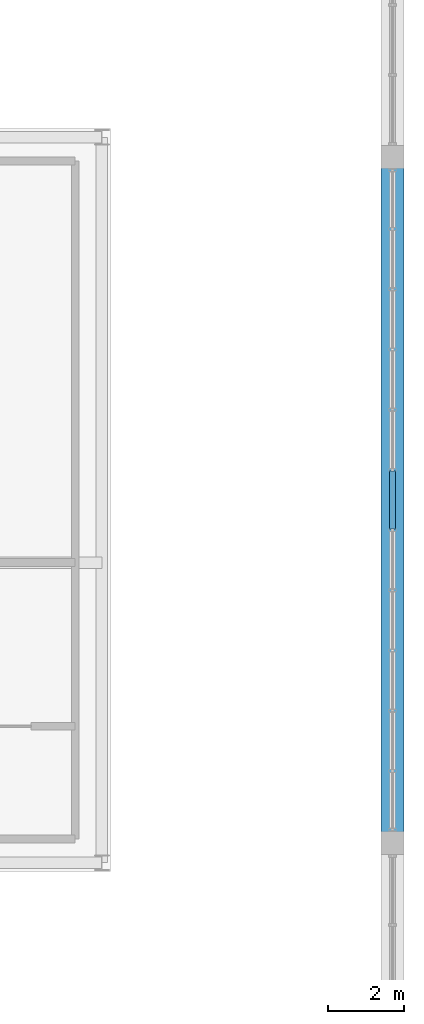
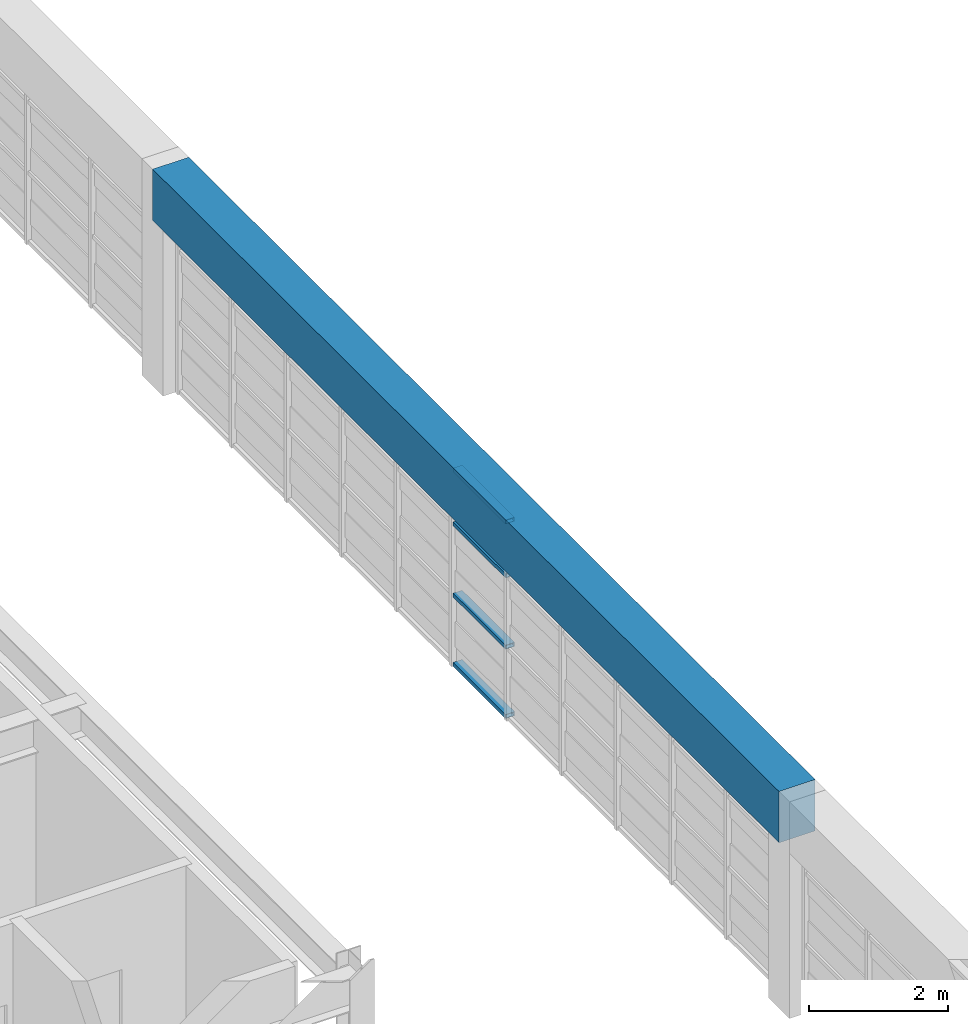
# One storey, part 15 of 27: 4 members, 1 beam, 1 element without a shape of its own.
"""IFC4 building model written with IfcOpenShell, lengths in metres."""

from ifc_helpers import new_model, si_unit, direction, frame, origin, origin_2d, place, context, subcontext, project, spatial, rectangle, hollow_rectangle, extrude, source, transform, mapped, material, layer, layer_set, material_profile, profile_set, type_object, element, aggregate, save


model = new_model("IFC4")

# Units and contexts
model_context = context("Model", 3, precision=1e-05, world=origin(), true_north=direction((0.0, 1.0)))
body_context = subcontext(model_context, "Body", "Model", "MODEL_VIEW")
ifc_project = project(units=[si_unit("LENGTHUNIT", "METRE"), si_unit("AREAUNIT", "SQUARE_METRE"), si_unit("VOLUMEUNIT", "CUBIC_METRE"), si_unit("PLANEANGLEUNIT", "RADIAN"), si_unit("MASSUNIT", "GRAM", prefix="KILO")], contexts=[model_context])

# Site, building, storey
site_placement = place(None, origin())
site = spatial("IfcSite", under=ifc_project, at=site_placement, CompositionType="ELEMENT")
building_placement = place(site_placement, origin())
building = spatial("IfcBuilding", under=site, at=building_placement, Name="Saelheon Loggia Tower", CompositionType="ELEMENT")
storey_placement = place(building_placement, frame((0.0, 0.0, 256.0)))
storey = spatial("IfcBuildingStorey", under=building, at=storey_placement, Name="CR2", CompositionType="ELEMENT", Elevation=256.0)

# Beam
ifc_material_1 = material(Name="Precast Concrete C45/55", Category="concrete")
ifc_material_profile_1 = material_profile(ifc_material_1, rectangle(XDim=0.60009765625, YDim=0.89990234375, at=origin_2d()), Name="RC-600x900")
ifc_profile_set_1 = profile_set([ifc_material_profile_1], Name="Precast Concrete C45/55")
beam_type = type_object("IfcBeamType", Name="CrownFrame_Ring_RC600x900", PredefinedType="BEAM", material=ifc_profile_set_1)
shared_shape_1 = source(origin(), body_context, "Body", "SweptSolid", [
    extrude(rectangle(XDim=0.60009765625, YDim=0.89990234375, at=origin_2d()), origin(), (0.0, 0.0, 1.0), 18.0),
])
beam_placement = place(storey_placement, frame((52.64990234375, 18.0, 3.35009765625), z_axis=(0.0, 1.0, 0.0), x_axis=(-1.0, 0.0, 0.0)))
element("IfcBeam", 1, at=beam_placement, inside=storey, type_object=beam_type, Name="CR2 CROWN FRAME Ring Beam 06", PredefinedType="BEAM", context=body_context, shape_type="MappedRepresentation", body=[
    mapped(shared_shape_1, transform((0.0, 0.0, 0.0), scale=1.0)),
])

# Curtain wall, members
ifc_material_2 = material(Name="Bronze-Anodised Aluminium and Fritted Ceramic Screen", Category="aluminium")
ifc_layer = layer(ifc_material_2, 0.219970703125)
ifc_layer_set = layer_set([ifc_layer], Name="Bronze-Anodised Aluminium and Fritted Ceramic Screen")
curtain_wall_type = type_object("IfcCurtainWallType", Name="CW_CrownScreen", PredefinedType="NOTDEFINED", material=ifc_layer_set)
curtain_wall_placement = place(storey_placement, origin())
curtain_wall = element("IfcCurtainWall", 2, at=curtain_wall_placement, inside=storey, type_object=curtain_wall_type, Name="CR2 Crown Screen Curtain Wall 3-2", PredefinedType="NOTDEFINED")
ifc_material_3 = material(Name="Bronze-Anodised Aluminium 6063-T6", Category="aluminium")
ifc_material_profile_2 = material_profile(ifc_material_3, hollow_rectangle(XDim=0.070068359375, YDim=0.14990234375, WallThickness=0.0048828125, at=origin_2d()), Name="RHS-150x70x5")
ifc_profile_set_2 = profile_set([ifc_material_profile_2], Name="Bronze-Anodised Aluminium 6063-T6")
member_type = type_object("IfcMemberType", Name="CW_CrownScreen_Transom", PredefinedType="USERDEFINED", material=ifc_profile_set_2)
shared_shape_2 = source(origin(), body_context, "Body", "SweptSolid", [
    extrude(hollow_rectangle(XDim=0.070068359375, YDim=0.14990234375, WallThickness=0.0048828125, at=origin_2d()), origin(), (0.0, 0.0, 1.0), 1.509765625),
])
member_1_placement = place(storey_placement, frame((52.64990234375, 26.2451171875, 0.034912109375), z_axis=(0.0, 1.0, 0.0), x_axis=(0.0, 0.0, 1.0)))
member_1 = element("IfcMember", 3, at=member_1_placement, type_object=member_type, Name="CW6 transom 6.1", ObjectType="TRANSOM", PredefinedType="USERDEFINED", context=body_context, shape_type="MappedRepresentation", body=[
    mapped(shared_shape_2, transform((0.0, 0.0, 0.0), scale=1.0)),
])
member_2_placement = place(storey_placement, frame((52.64990234375, 26.2451171875, 1.25), z_axis=(0.0, 1.0, 0.0), x_axis=(0.0, 0.0, 1.0)))
member_2 = element("IfcMember", 4, at=member_2_placement, type_object=member_type, Name="CW6 transom 6.2", ObjectType="TRANSOM", PredefinedType="USERDEFINED", context=body_context, shape_type="MappedRepresentation", body=[
    mapped(shared_shape_2, transform((0.0, 0.0, 0.0), scale=1.0)),
])
member_3_placement = place(storey_placement, frame((52.64990234375, 26.2451171875, 2.5), z_axis=(0.0, 1.0, 0.0), x_axis=(0.0, 0.0, 1.0)))
member_3 = element("IfcMember", 5, at=member_3_placement, type_object=member_type, Name="CW6 transom 6.3", ObjectType="TRANSOM", PredefinedType="USERDEFINED", context=body_context, shape_type="MappedRepresentation", body=[
    mapped(shared_shape_2, transform((0.0, 0.0, 0.0), scale=1.0)),
])
member_4_placement = place(storey_placement, frame((52.64990234375, 26.2451171875, 3.445068359375), z_axis=(0.0, 1.0, 0.0), x_axis=(0.0, 0.0, 1.0)))
member_4 = element("IfcMember", 6, at=member_4_placement, type_object=member_type, Name="CW6 transom 6.4", ObjectType="TRANSOM", PredefinedType="USERDEFINED", context=body_context, shape_type="MappedRepresentation", body=[
    mapped(shared_shape_2, transform((0.0, 0.0, 0.0), scale=1.0)),
])
aggregate(curtain_wall, [member_1, member_2, member_3, member_4])

save(model, "model.ifc")
